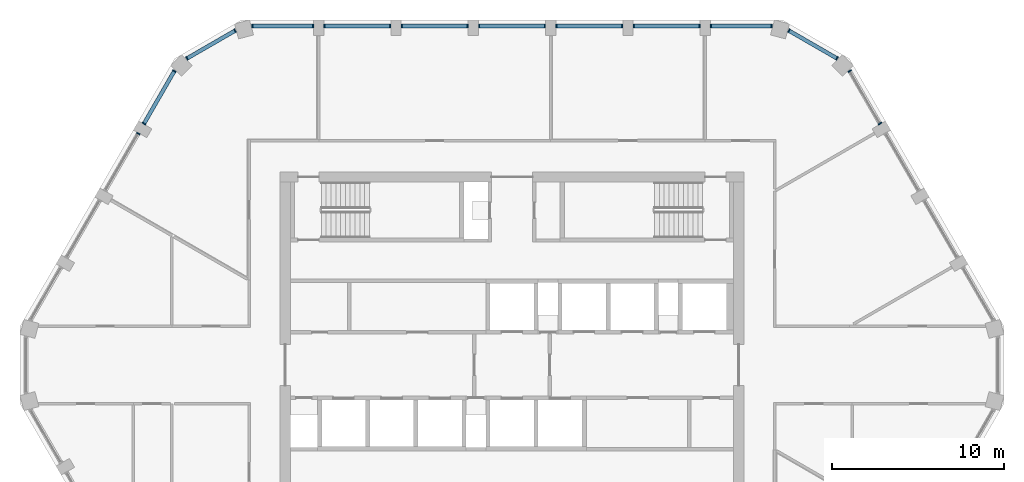
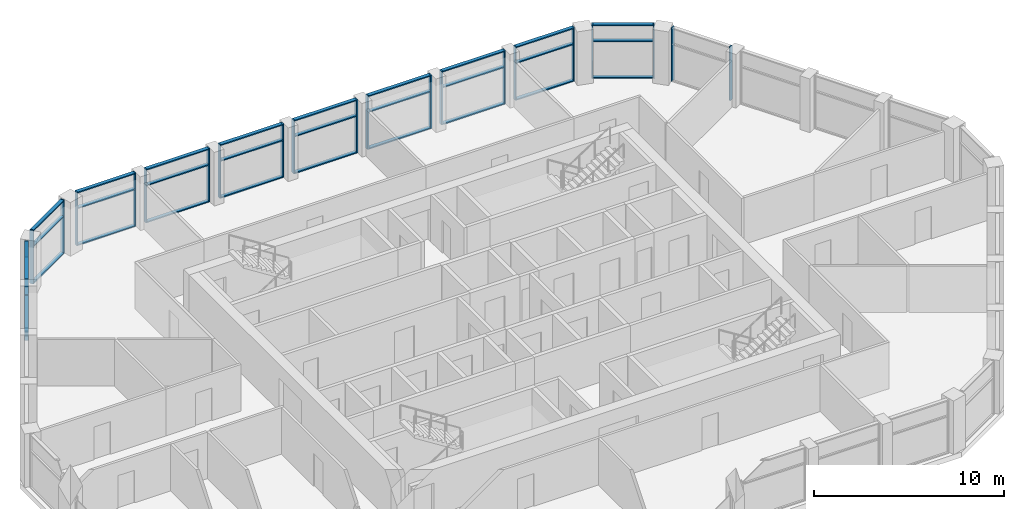
# One storey, part 5 of 15: 53 members, 12 elements without a shape of their own.
"""IFC4 building model written with IfcOpenShell, lengths in metres."""

from ifc_helpers import new_model, si_unit, direction, frame, origin, origin_2d, place, context, subcontext, project, spatial, rectangle, extrude, material, layer, layer_set, material_profile, profile_set, type_object, element, aggregate, save


model = new_model("IFC4")

# Units and contexts
model_context = context("Model", 3, precision=1e-05, world=origin(), true_north=direction((0.0, 1.0)))
body_context = subcontext(model_context, "Body", "Model", "MODEL_VIEW")
ifc_project = project(units=[si_unit("LENGTHUNIT", "METRE"), si_unit("AREAUNIT", "SQUARE_METRE"), si_unit("VOLUMEUNIT", "CUBIC_METRE"), si_unit("PLANEANGLEUNIT", "RADIAN"), si_unit("MASSUNIT", "GRAM", prefix="KILO")], contexts=[model_context])

# Site, building, storey
site_placement = place(None, origin())
site = spatial("IfcSite", under=ifc_project, at=site_placement, CompositionType="ELEMENT")
building_placement = place(site_placement, origin())
building = spatial("IfcBuilding", under=site, at=building_placement, Name="Dhurran Vertical Campus", CompositionType="ELEMENT")
storey_placement = place(building_placement, frame((0.0, 0.0, 306.0)))
storey = spatial("IfcBuildingStorey", under=building, at=storey_placement, Name="L76", CompositionType="ELEMENT", Elevation=306.0)

# Curtain wall, members
ifc_material_1 = material(Name="Aluminium frame with solar-control glass", Category="aluminium")
ifc_layer = layer(ifc_material_1, 0.219970703125)
ifc_layer_set = layer_set([ifc_layer], Name="Aluminium frame with solar-control glass")
curtain_wall_type = type_object("IfcCurtainWallType", Name="Student lounge glazing system", PredefinedType="NOTDEFINED", material=ifc_layer_set)
curtain_wall_1_placement = place(storey_placement, origin())
curtain_wall_1 = element("IfcCurtainWall", 1, at=curtain_wall_1_placement, inside=storey, type_object=curtain_wall_type, Name="CW5 L76.16", PredefinedType="NOTDEFINED")
ifc_material_2 = material(Name="Aluminium mullion", Category="aluminium")
ifc_material_profile_1 = material_profile(ifc_material_2, rectangle(XDim=0.219970703125, YDim=0.070068359375, at=origin_2d()), Name="Student lounge glazing system mullion")
ifc_profile_set_1 = profile_set([ifc_material_profile_1], Name="Aluminium mullion")
member_type_1 = type_object("IfcMemberType", Name="Student lounge glazing system mullion", PredefinedType="MULLION", material=ifc_profile_set_1)
member_1_placement = place(storey_placement, frame((21.42626953125, 14.056884765625, 0.0), z_axis=(0.0, 0.0, 1.0), x_axis=(-0.86602735976, -0.499996612136, 0.0)))
member_1 = element("IfcMember", 2, at=member_1_placement, type_object=member_type_1, Name="CW5 mullion 1", PredefinedType="MULLION", context=body_context, shape_type="SweptSolid", body=[
    extrude(rectangle(XDim=0.219970703125, YDim=0.070068359375, at=origin_2d()), origin(), (0.0, 0.0, 1.0), 3.449951171875),
])
member_2_placement = place(storey_placement, frame((19.66162109375, 17.113525390625, 0.0), z_axis=(0.0, 0.0, 1.0), x_axis=(-0.86602735976, -0.499996612136, 0.0)))
member_2 = element("IfcMember", 3, at=member_2_placement, type_object=member_type_1, Name="CW5 mullion 2", PredefinedType="MULLION", context=body_context, shape_type="SweptSolid", body=[
    extrude(rectangle(XDim=0.219970703125, YDim=0.070068359375, at=origin_2d()), origin(), (0.0, 0.0, 1.0), 3.449951171875),
])
aggregate(curtain_wall_1, [member_1, member_2])

curtain_wall_2_placement = place(storey_placement, origin())
curtain_wall_2 = element("IfcCurtainWall", 4, at=curtain_wall_2_placement, inside=storey, type_object=curtain_wall_type, Name="CW5 L76.17", PredefinedType="NOTDEFINED")
member_3_placement = place(storey_placement, frame((18.922119140625, 17.852783203125, 0.0), z_axis=(0.0, 0.0, 1.0), x_axis=(-0.500001394569, -0.866024598628, 0.0)))
member_3 = element("IfcMember", 5, at=member_3_placement, type_object=member_type_1, Name="CW5 mullion 1", PredefinedType="MULLION", context=body_context, shape_type="SweptSolid", body=[
    extrude(rectangle(XDim=0.219970703125, YDim=0.070068359375, at=origin_2d()), origin(), (0.0, 0.0, 1.0), 3.449951171875),
])
member_4_placement = place(storey_placement, frame((16.125, 19.4677734375, 0.0), z_axis=(0.0, 0.0, 1.0), x_axis=(-0.500001394569, -0.866024598628, 0.0)))
member_4 = element("IfcMember", 6, at=member_4_placement, type_object=member_type_1, Name="CW5 mullion 2", PredefinedType="MULLION", context=body_context, shape_type="SweptSolid", body=[
    extrude(rectangle(XDim=0.219970703125, YDim=0.070068359375, at=origin_2d()), origin(), (0.0, 0.0, 1.0), 3.449951171875),
])

curtain_wall_3_placement = place(storey_placement, origin())
curtain_wall_3 = element("IfcCurtainWall", 7, at=curtain_wall_3_placement, inside=storey, type_object=curtain_wall_type, Name="CW5 L76.18", PredefinedType="NOTDEFINED")
member_5_placement = place(storey_placement, frame((15.114990234375, 19.738525390625, 0.0), z_axis=(0.0, 0.0, 1.0), x_axis=(0.0, -1.0, 0.0)))
member_5 = element("IfcMember", 8, at=member_5_placement, type_object=member_type_1, Name="CW5 mullion 1", PredefinedType="MULLION", context=body_context, shape_type="SweptSolid", body=[
    extrude(rectangle(XDim=0.219970703125, YDim=0.070068359375, at=origin_2d()), origin(), (0.0, 0.0, 1.0), 3.449951171875),
])
member_6_placement = place(storey_placement, frame((11.58544921875, 19.738525390625, 0.0), z_axis=(0.0, 0.0, 1.0), x_axis=(0.0, -1.0, 0.0)))
member_6 = element("IfcMember", 9, at=member_6_placement, type_object=member_type_1, Name="CW5 mullion 2", PredefinedType="MULLION", context=body_context, shape_type="SweptSolid", body=[
    extrude(rectangle(XDim=0.219970703125, YDim=0.070068359375, at=origin_2d()), origin(), (0.0, 0.0, 1.0), 3.449951171875),
])

curtain_wall_4_placement = place(storey_placement, origin())
curtain_wall_4 = element("IfcCurtainWall", 10, at=curtain_wall_4_placement, inside=storey, type_object=curtain_wall_type, Name="CW5 L76.19", PredefinedType="NOTDEFINED")
member_7_placement = place(storey_placement, frame((10.91455078125, 19.738525390625, 0.0), z_axis=(0.0, 0.0, 1.0), x_axis=(0.0, -1.0, 0.0)))
member_7 = element("IfcMember", 11, at=member_7_placement, type_object=member_type_1, Name="CW5 mullion 1", PredefinedType="MULLION", context=body_context, shape_type="SweptSolid", body=[
    extrude(rectangle(XDim=0.219970703125, YDim=0.070068359375, at=origin_2d()), origin(), (0.0, 0.0, 1.0), 3.449951171875),
])
member_8_placement = place(storey_placement, frame((7.08544921875, 19.738525390625, 0.0), z_axis=(0.0, 0.0, 1.0), x_axis=(0.0, -1.0, 0.0)))
member_8 = element("IfcMember", 12, at=member_8_placement, type_object=member_type_1, Name="CW5 mullion 2", PredefinedType="MULLION", context=body_context, shape_type="SweptSolid", body=[
    extrude(rectangle(XDim=0.219970703125, YDim=0.070068359375, at=origin_2d()), origin(), (0.0, 0.0, 1.0), 3.449951171875),
])

curtain_wall_5_placement = place(storey_placement, origin())
curtain_wall_5 = element("IfcCurtainWall", 13, at=curtain_wall_5_placement, inside=storey, type_object=curtain_wall_type, Name="CW5 L76.20", PredefinedType="NOTDEFINED")
member_9_placement = place(storey_placement, frame((6.41455078125, 19.738525390625, 0.0), z_axis=(0.0, 0.0, 1.0), x_axis=(0.0, -1.0, 0.0)))
member_9 = element("IfcMember", 14, at=member_9_placement, type_object=member_type_1, Name="CW5 mullion 1", PredefinedType="MULLION", context=body_context, shape_type="SweptSolid", body=[
    extrude(rectangle(XDim=0.219970703125, YDim=0.070068359375, at=origin_2d()), origin(), (0.0, 0.0, 1.0), 3.449951171875),
])
member_10_placement = place(storey_placement, frame((2.58544921875, 19.738525390625, 0.0), z_axis=(0.0, 0.0, 1.0), x_axis=(0.0, -1.0, 0.0)))
member_10 = element("IfcMember", 15, at=member_10_placement, type_object=member_type_1, Name="CW5 mullion 2", PredefinedType="MULLION", context=body_context, shape_type="SweptSolid", body=[
    extrude(rectangle(XDim=0.219970703125, YDim=0.070068359375, at=origin_2d()), origin(), (0.0, 0.0, 1.0), 3.449951171875),
])

curtain_wall_6_placement = place(storey_placement, origin())
curtain_wall_6 = element("IfcCurtainWall", 16, at=curtain_wall_6_placement, inside=storey, type_object=curtain_wall_type, Name="CW5 L76.21", PredefinedType="NOTDEFINED")
member_11_placement = place(storey_placement, frame((1.91455078125, 19.738525390625, 0.0), z_axis=(0.0, 0.0, 1.0), x_axis=(0.0, -1.0, 0.0)))
member_11 = element("IfcMember", 17, at=member_11_placement, type_object=member_type_1, Name="CW5 mullion 1", PredefinedType="MULLION", context=body_context, shape_type="SweptSolid", body=[
    extrude(rectangle(XDim=0.219970703125, YDim=0.070068359375, at=origin_2d()), origin(), (0.0, 0.0, 1.0), 3.449951171875),
])
member_12_placement = place(storey_placement, frame((-1.91455078125, 19.738525390625, 0.0), z_axis=(0.0, 0.0, 1.0), x_axis=(0.0, -1.0, 0.0)))
member_12 = element("IfcMember", 18, at=member_12_placement, type_object=member_type_1, Name="CW5 mullion 2", PredefinedType="MULLION", context=body_context, shape_type="SweptSolid", body=[
    extrude(rectangle(XDim=0.219970703125, YDim=0.070068359375, at=origin_2d()), origin(), (0.0, 0.0, 1.0), 3.449951171875),
])

curtain_wall_7_placement = place(storey_placement, origin())
curtain_wall_7 = element("IfcCurtainWall", 19, at=curtain_wall_7_placement, inside=storey, type_object=curtain_wall_type, Name="CW5 L76.22", PredefinedType="NOTDEFINED")
member_13_placement = place(storey_placement, frame((-2.58544921875, 19.738525390625, 0.0), z_axis=(0.0, 0.0, 1.0), x_axis=(0.0, -1.0, 0.0)))
member_13 = element("IfcMember", 20, at=member_13_placement, type_object=member_type_1, Name="CW5 mullion 1", PredefinedType="MULLION", context=body_context, shape_type="SweptSolid", body=[
    extrude(rectangle(XDim=0.219970703125, YDim=0.070068359375, at=origin_2d()), origin(), (0.0, 0.0, 1.0), 3.449951171875),
])
member_14_placement = place(storey_placement, frame((-6.41455078125, 19.738525390625, 0.0), z_axis=(0.0, 0.0, 1.0), x_axis=(0.0, -1.0, 0.0)))
member_14 = element("IfcMember", 21, at=member_14_placement, type_object=member_type_1, Name="CW5 mullion 2", PredefinedType="MULLION", context=body_context, shape_type="SweptSolid", body=[
    extrude(rectangle(XDim=0.219970703125, YDim=0.070068359375, at=origin_2d()), origin(), (0.0, 0.0, 1.0), 3.449951171875),
])

curtain_wall_8_placement = place(storey_placement, origin())
curtain_wall_8 = element("IfcCurtainWall", 22, at=curtain_wall_8_placement, inside=storey, type_object=curtain_wall_type, Name="CW5 L76.23", PredefinedType="NOTDEFINED")
member_15_placement = place(storey_placement, frame((-7.08544921875, 19.738525390625, 0.0), z_axis=(0.0, 0.0, 1.0), x_axis=(0.0, -1.0, 0.0)))
member_15 = element("IfcMember", 23, at=member_15_placement, type_object=member_type_1, Name="CW5 mullion 1", PredefinedType="MULLION", context=body_context, shape_type="SweptSolid", body=[
    extrude(rectangle(XDim=0.219970703125, YDim=0.070068359375, at=origin_2d()), origin(), (0.0, 0.0, 1.0), 3.449951171875),
])
member_16_placement = place(storey_placement, frame((-10.91455078125, 19.738525390625, 0.0), z_axis=(0.0, 0.0, 1.0), x_axis=(0.0, -1.0, 0.0)))
member_16 = element("IfcMember", 24, at=member_16_placement, type_object=member_type_1, Name="CW5 mullion 2", PredefinedType="MULLION", context=body_context, shape_type="SweptSolid", body=[
    extrude(rectangle(XDim=0.219970703125, YDim=0.070068359375, at=origin_2d()), origin(), (0.0, 0.0, 1.0), 3.449951171875),
])

curtain_wall_9_placement = place(storey_placement, origin())
curtain_wall_9 = element("IfcCurtainWall", 25, at=curtain_wall_9_placement, inside=storey, type_object=curtain_wall_type, Name="CW5 L76.24", PredefinedType="NOTDEFINED")
member_17_placement = place(storey_placement, frame((-11.58544921875, 19.738525390625, 0.0), z_axis=(0.0, 0.0, 1.0), x_axis=(0.0, -1.0, 0.0)))
member_17 = element("IfcMember", 26, at=member_17_placement, type_object=member_type_1, Name="CW5 mullion 1", PredefinedType="MULLION", context=body_context, shape_type="SweptSolid", body=[
    extrude(rectangle(XDim=0.219970703125, YDim=0.070068359375, at=origin_2d()), origin(), (0.0, 0.0, 1.0), 3.449951171875),
])
member_18_placement = place(storey_placement, frame((-15.114990234375, 19.738525390625, 0.0), z_axis=(0.0, 0.0, 1.0), x_axis=(0.0, -1.0, 0.0)))
member_18 = element("IfcMember", 27, at=member_18_placement, type_object=member_type_1, Name="CW5 mullion 2", PredefinedType="MULLION", context=body_context, shape_type="SweptSolid", body=[
    extrude(rectangle(XDim=0.219970703125, YDim=0.070068359375, at=origin_2d()), origin(), (0.0, 0.0, 1.0), 3.449951171875),
])

curtain_wall_10_placement = place(storey_placement, origin())
curtain_wall_10 = element("IfcCurtainWall", 28, at=curtain_wall_10_placement, inside=storey, type_object=curtain_wall_type, Name="CW5 L76.25", PredefinedType="NOTDEFINED")
member_19_placement = place(storey_placement, frame((-16.125, 19.4677734375, 0.0), z_axis=(0.0, 0.0, 1.0), x_axis=(0.500001394569, -0.866024598628, 0.0)))
member_19 = element("IfcMember", 29, at=member_19_placement, type_object=member_type_1, Name="CW5 mullion 1", PredefinedType="MULLION", context=body_context, shape_type="SweptSolid", body=[
    extrude(rectangle(XDim=0.219970703125, YDim=0.070068359375, at=origin_2d()), origin(), (0.0, 0.0, 1.0), 3.449951171875),
])
member_20_placement = place(storey_placement, frame((-18.922119140625, 17.852783203125, 0.0), z_axis=(0.0, 0.0, 1.0), x_axis=(0.500001394569, -0.866024598628, 0.0)))
member_20 = element("IfcMember", 30, at=member_20_placement, type_object=member_type_1, Name="CW5 mullion 2", PredefinedType="MULLION", context=body_context, shape_type="SweptSolid", body=[
    extrude(rectangle(XDim=0.219970703125, YDim=0.070068359375, at=origin_2d()), origin(), (0.0, 0.0, 1.0), 3.449951171875),
])

curtain_wall_11_placement = place(storey_placement, origin())
curtain_wall_11 = element("IfcCurtainWall", 31, at=curtain_wall_11_placement, inside=storey, type_object=curtain_wall_type, Name="CW5 L76.26", PredefinedType="NOTDEFINED")
member_21_placement = place(storey_placement, frame((-19.66162109375, 17.113525390625, 0.0), z_axis=(0.0, 0.0, 1.0), x_axis=(0.86602735976, -0.499996612136, 0.0)))
member_21 = element("IfcMember", 32, at=member_21_placement, type_object=member_type_1, Name="CW5 mullion 1", PredefinedType="MULLION", context=body_context, shape_type="SweptSolid", body=[
    extrude(rectangle(XDim=0.219970703125, YDim=0.070068359375, at=origin_2d()), origin(), (0.0, 0.0, 1.0), 3.449951171875),
])
member_22_placement = place(storey_placement, frame((-21.42626953125, 14.056884765625, 0.0), z_axis=(0.0, 0.0, 1.0), x_axis=(0.86602735976, -0.499996612136, 0.0)))
member_22 = element("IfcMember", 33, at=member_22_placement, type_object=member_type_1, Name="CW5 mullion 2", PredefinedType="MULLION", context=body_context, shape_type="SweptSolid", body=[
    extrude(rectangle(XDim=0.219970703125, YDim=0.070068359375, at=origin_2d()), origin(), (0.0, 0.0, 1.0), 3.449951171875),
])

# Curtain wall, member
curtain_wall_12_placement = place(storey_placement, origin())
curtain_wall_12 = element("IfcCurtainWall", 34, at=curtain_wall_12_placement, inside=storey, type_object=curtain_wall_type, Name="CW5 L76.27", PredefinedType="NOTDEFINED")
member_23_placement = place(storey_placement, frame((-21.76171875, 13.475830078125, 0.0), z_axis=(0.0, 0.0, 1.0), x_axis=(0.866023284668, -0.5000036704, 0.0)))
member_23 = element("IfcMember", 35, at=member_23_placement, type_object=member_type_1, Name="CW5 mullion 1", PredefinedType="MULLION", context=body_context, shape_type="SweptSolid", body=[
    extrude(rectangle(XDim=0.219970703125, YDim=0.070068359375, at=origin_2d()), origin(), (0.0, 0.0, 1.0), 3.449951171875),
])
aggregate(curtain_wall_12, [member_23])

# Member
ifc_material_3 = material(Name="Aluminium transom", Category="aluminium")
ifc_material_profile_2 = material_profile(ifc_material_3, rectangle(XDim=0.219970703125, YDim=0.070068359375, at=origin_2d()), Name="Student lounge glazing system transom")
ifc_profile_set_2 = profile_set([ifc_material_profile_2], Name="Aluminium transom")
member_type_2 = type_object("IfcMemberType", Name="Student lounge glazing system transom", PredefinedType="USERDEFINED", material=ifc_profile_set_2)
member_24_placement = place(storey_placement, frame((18.891845703125, 17.870361328125, 0.034912109375), z_axis=(-0.866042772488, 0.499969915316, 0.0), x_axis=(-0.499969915316, -0.866042772488, 0.0)))
member_24 = element("IfcMember", 36, at=member_24_placement, type_object=member_type_2, Name="CW5 transom 1.1", ObjectType="TRANSOM", PredefinedType="USERDEFINED", context=body_context, shape_type="SweptSolid", body=[
    extrude(rectangle(XDim=0.219970703125, YDim=0.070068359375, at=origin_2d()), origin(), (0.0, 0.0, 1.0), 3.159912109375),
])

member_25_placement = place(storey_placement, frame((18.891845703125, 17.870361328125, 2.39990234375), z_axis=(-0.866042772488, 0.499969915316, 0.0), x_axis=(-0.499969915316, -0.866042772488, 0.0)))
member_25 = element("IfcMember", 37, at=member_25_placement, type_object=member_type_2, Name="CW5 transom 1.2", ObjectType="TRANSOM", PredefinedType="USERDEFINED", context=body_context, shape_type="SweptSolid", body=[
    extrude(rectangle(XDim=0.219970703125, YDim=0.070068359375, at=origin_2d()), origin(), (0.0, 0.0, 1.0), 3.159912109375),
])

member_26_placement = place(storey_placement, frame((18.891845703125, 17.870361328125, 3.4150390625), z_axis=(-0.866042772488, 0.499969915316, 0.0), x_axis=(-0.499969915316, -0.866042772488, 0.0)))
member_26 = element("IfcMember", 38, at=member_26_placement, type_object=member_type_2, Name="CW5 transom 1.3", ObjectType="TRANSOM", PredefinedType="USERDEFINED", context=body_context, shape_type="SweptSolid", body=[
    extrude(rectangle(XDim=0.219970703125, YDim=0.070068359375, at=origin_2d()), origin(), (0.0, 0.0, 1.0), 3.159912109375),
])

aggregate(curtain_wall_2, [member_3, member_4, member_24, member_25, member_26])

member_27_placement = place(storey_placement, frame((15.079833984375, 19.738525390625, 0.034912109375), z_axis=(-1.0, 0.0, 0.0), x_axis=(0.0, -1.0, 0.0)))
member_27 = element("IfcMember", 39, at=member_27_placement, type_object=member_type_2, Name="CW5 transom 1.1", ObjectType="TRANSOM", PredefinedType="USERDEFINED", context=body_context, shape_type="SweptSolid", body=[
    extrude(rectangle(XDim=0.219970703125, YDim=0.070068359375, at=origin_2d()), origin(), (0.0, 0.0, 1.0), 3.459228515625),
])

member_28_placement = place(storey_placement, frame((15.079833984375, 19.738525390625, 2.39990234375), z_axis=(-1.0, 0.0, 0.0), x_axis=(0.0, -1.0, 0.0)))
member_28 = element("IfcMember", 40, at=member_28_placement, type_object=member_type_2, Name="CW5 transom 1.2", ObjectType="TRANSOM", PredefinedType="USERDEFINED", context=body_context, shape_type="SweptSolid", body=[
    extrude(rectangle(XDim=0.219970703125, YDim=0.070068359375, at=origin_2d()), origin(), (0.0, 0.0, 1.0), 3.459228515625),
])

member_29_placement = place(storey_placement, frame((15.079833984375, 19.738525390625, 3.4150390625), z_axis=(-1.0, 0.0, 0.0), x_axis=(0.0, -1.0, 0.0)))
member_29 = element("IfcMember", 41, at=member_29_placement, type_object=member_type_2, Name="CW5 transom 1.3", ObjectType="TRANSOM", PredefinedType="USERDEFINED", context=body_context, shape_type="SweptSolid", body=[
    extrude(rectangle(XDim=0.219970703125, YDim=0.070068359375, at=origin_2d()), origin(), (0.0, 0.0, 1.0), 3.459228515625),
])

aggregate(curtain_wall_3, [member_5, member_6, member_27, member_28, member_29])

member_30_placement = place(storey_placement, frame((10.87939453125, 19.738525390625, 0.034912109375), z_axis=(-1.0, 0.0, 0.0), x_axis=(0.0, -1.0, 0.0)))
member_30 = element("IfcMember", 42, at=member_30_placement, type_object=member_type_2, Name="CW5 transom 1.1", ObjectType="TRANSOM", PredefinedType="USERDEFINED", context=body_context, shape_type="SweptSolid", body=[
    extrude(rectangle(XDim=0.219970703125, YDim=0.070068359375, at=origin_2d()), origin(), (0.0, 0.0, 1.0), 3.7587890625),
])

member_31_placement = place(storey_placement, frame((10.87939453125, 19.738525390625, 2.39990234375), z_axis=(-1.0, 0.0, 0.0), x_axis=(0.0, -1.0, 0.0)))
member_31 = element("IfcMember", 43, at=member_31_placement, type_object=member_type_2, Name="CW5 transom 1.2", ObjectType="TRANSOM", PredefinedType="USERDEFINED", context=body_context, shape_type="SweptSolid", body=[
    extrude(rectangle(XDim=0.219970703125, YDim=0.070068359375, at=origin_2d()), origin(), (0.0, 0.0, 1.0), 3.7587890625),
])

member_32_placement = place(storey_placement, frame((10.87939453125, 19.738525390625, 3.4150390625), z_axis=(-1.0, 0.0, 0.0), x_axis=(0.0, -1.0, 0.0)))
member_32 = element("IfcMember", 44, at=member_32_placement, type_object=member_type_2, Name="CW5 transom 1.3", ObjectType="TRANSOM", PredefinedType="USERDEFINED", context=body_context, shape_type="SweptSolid", body=[
    extrude(rectangle(XDim=0.219970703125, YDim=0.070068359375, at=origin_2d()), origin(), (0.0, 0.0, 1.0), 3.7587890625),
])

aggregate(curtain_wall_4, [member_7, member_8, member_30, member_31, member_32])

member_33_placement = place(storey_placement, frame((6.37939453125, 19.738525390625, 0.034912109375), z_axis=(-1.0, 0.0, 0.0), x_axis=(0.0, -1.0, 0.0)))
member_33 = element("IfcMember", 45, at=member_33_placement, type_object=member_type_2, Name="CW5 transom 1.1", ObjectType="TRANSOM", PredefinedType="USERDEFINED", context=body_context, shape_type="SweptSolid", body=[
    extrude(rectangle(XDim=0.219970703125, YDim=0.070068359375, at=origin_2d()), origin(), (0.0, 0.0, 1.0), 3.7587890625),
])

member_34_placement = place(storey_placement, frame((6.37939453125, 19.738525390625, 2.39990234375), z_axis=(-1.0, 0.0, 0.0), x_axis=(0.0, -1.0, 0.0)))
member_34 = element("IfcMember", 46, at=member_34_placement, type_object=member_type_2, Name="CW5 transom 1.2", ObjectType="TRANSOM", PredefinedType="USERDEFINED", context=body_context, shape_type="SweptSolid", body=[
    extrude(rectangle(XDim=0.219970703125, YDim=0.070068359375, at=origin_2d()), origin(), (0.0, 0.0, 1.0), 3.7587890625),
])

member_35_placement = place(storey_placement, frame((6.37939453125, 19.738525390625, 3.4150390625), z_axis=(-1.0, 0.0, 0.0), x_axis=(0.0, -1.0, 0.0)))
member_35 = element("IfcMember", 47, at=member_35_placement, type_object=member_type_2, Name="CW5 transom 1.3", ObjectType="TRANSOM", PredefinedType="USERDEFINED", context=body_context, shape_type="SweptSolid", body=[
    extrude(rectangle(XDim=0.219970703125, YDim=0.070068359375, at=origin_2d()), origin(), (0.0, 0.0, 1.0), 3.7587890625),
])

aggregate(curtain_wall_5, [member_9, member_10, member_33, member_34, member_35])

member_36_placement = place(storey_placement, frame((1.87939453125, 19.738525390625, 0.034912109375), z_axis=(-1.0, 0.0, 0.0), x_axis=(0.0, -1.0, 0.0)))
member_36 = element("IfcMember", 48, at=member_36_placement, type_object=member_type_2, Name="CW5 transom 1.1", ObjectType="TRANSOM", PredefinedType="USERDEFINED", context=body_context, shape_type="SweptSolid", body=[
    extrude(rectangle(XDim=0.219970703125, YDim=0.070068359375, at=origin_2d()), origin(), (0.0, 0.0, 1.0), 3.7587890625),
])

member_37_placement = place(storey_placement, frame((1.87939453125, 19.738525390625, 2.39990234375), z_axis=(-1.0, 0.0, 0.0), x_axis=(0.0, -1.0, 0.0)))
member_37 = element("IfcMember", 49, at=member_37_placement, type_object=member_type_2, Name="CW5 transom 1.2", ObjectType="TRANSOM", PredefinedType="USERDEFINED", context=body_context, shape_type="SweptSolid", body=[
    extrude(rectangle(XDim=0.219970703125, YDim=0.070068359375, at=origin_2d()), origin(), (0.0, 0.0, 1.0), 3.7587890625),
])

member_38_placement = place(storey_placement, frame((1.87939453125, 19.738525390625, 3.4150390625), z_axis=(-1.0, 0.0, 0.0), x_axis=(0.0, -1.0, 0.0)))
member_38 = element("IfcMember", 50, at=member_38_placement, type_object=member_type_2, Name="CW5 transom 1.3", ObjectType="TRANSOM", PredefinedType="USERDEFINED", context=body_context, shape_type="SweptSolid", body=[
    extrude(rectangle(XDim=0.219970703125, YDim=0.070068359375, at=origin_2d()), origin(), (0.0, 0.0, 1.0), 3.7587890625),
])

aggregate(curtain_wall_6, [member_11, member_12, member_36, member_37, member_38])

member_39_placement = place(storey_placement, frame((-2.62060546875, 19.738525390625, 0.034912109375), z_axis=(-1.0, 0.0, 0.0), x_axis=(0.0, -1.0, 0.0)))
member_39 = element("IfcMember", 51, at=member_39_placement, type_object=member_type_2, Name="CW5 transom 1.1", ObjectType="TRANSOM", PredefinedType="USERDEFINED", context=body_context, shape_type="SweptSolid", body=[
    extrude(rectangle(XDim=0.219970703125, YDim=0.070068359375, at=origin_2d()), origin(), (0.0, 0.0, 1.0), 3.7587890625),
])

member_40_placement = place(storey_placement, frame((-2.62060546875, 19.738525390625, 2.39990234375), z_axis=(-1.0, 0.0, 0.0), x_axis=(0.0, -1.0, 0.0)))
member_40 = element("IfcMember", 52, at=member_40_placement, type_object=member_type_2, Name="CW5 transom 1.2", ObjectType="TRANSOM", PredefinedType="USERDEFINED", context=body_context, shape_type="SweptSolid", body=[
    extrude(rectangle(XDim=0.219970703125, YDim=0.070068359375, at=origin_2d()), origin(), (0.0, 0.0, 1.0), 3.7587890625),
])

member_41_placement = place(storey_placement, frame((-2.62060546875, 19.738525390625, 3.4150390625), z_axis=(-1.0, 0.0, 0.0), x_axis=(0.0, -1.0, 0.0)))
member_41 = element("IfcMember", 53, at=member_41_placement, type_object=member_type_2, Name="CW5 transom 1.3", ObjectType="TRANSOM", PredefinedType="USERDEFINED", context=body_context, shape_type="SweptSolid", body=[
    extrude(rectangle(XDim=0.219970703125, YDim=0.070068359375, at=origin_2d()), origin(), (0.0, 0.0, 1.0), 3.7587890625),
])

aggregate(curtain_wall_7, [member_13, member_14, member_39, member_40, member_41])

member_42_placement = place(storey_placement, frame((-7.12060546875, 19.738525390625, 0.034912109375), z_axis=(-1.0, 0.0, 0.0), x_axis=(0.0, -1.0, 0.0)))
member_42 = element("IfcMember", 54, at=member_42_placement, type_object=member_type_2, Name="CW5 transom 1.1", ObjectType="TRANSOM", PredefinedType="USERDEFINED", context=body_context, shape_type="SweptSolid", body=[
    extrude(rectangle(XDim=0.219970703125, YDim=0.070068359375, at=origin_2d()), origin(), (0.0, 0.0, 1.0), 3.7587890625),
])

member_43_placement = place(storey_placement, frame((-7.12060546875, 19.738525390625, 2.39990234375), z_axis=(-1.0, 0.0, 0.0), x_axis=(0.0, -1.0, 0.0)))
member_43 = element("IfcMember", 55, at=member_43_placement, type_object=member_type_2, Name="CW5 transom 1.2", ObjectType="TRANSOM", PredefinedType="USERDEFINED", context=body_context, shape_type="SweptSolid", body=[
    extrude(rectangle(XDim=0.219970703125, YDim=0.070068359375, at=origin_2d()), origin(), (0.0, 0.0, 1.0), 3.7587890625),
])

member_44_placement = place(storey_placement, frame((-7.12060546875, 19.738525390625, 3.4150390625), z_axis=(-1.0, 0.0, 0.0), x_axis=(0.0, -1.0, 0.0)))
member_44 = element("IfcMember", 56, at=member_44_placement, type_object=member_type_2, Name="CW5 transom 1.3", ObjectType="TRANSOM", PredefinedType="USERDEFINED", context=body_context, shape_type="SweptSolid", body=[
    extrude(rectangle(XDim=0.219970703125, YDim=0.070068359375, at=origin_2d()), origin(), (0.0, 0.0, 1.0), 3.7587890625),
])

aggregate(curtain_wall_8, [member_15, member_16, member_42, member_43, member_44])

member_45_placement = place(storey_placement, frame((-11.62060546875, 19.738525390625, 0.034912109375), z_axis=(-1.0, 0.0, 0.0), x_axis=(0.0, -1.0, 0.0)))
member_45 = element("IfcMember", 57, at=member_45_placement, type_object=member_type_2, Name="CW5 transom 1.1", ObjectType="TRANSOM", PredefinedType="USERDEFINED", context=body_context, shape_type="SweptSolid", body=[
    extrude(rectangle(XDim=0.219970703125, YDim=0.070068359375, at=origin_2d()), origin(), (0.0, 0.0, 1.0), 3.459228515625),
])

member_46_placement = place(storey_placement, frame((-11.62060546875, 19.738525390625, 2.39990234375), z_axis=(-1.0, 0.0, 0.0), x_axis=(0.0, -1.0, 0.0)))
member_46 = element("IfcMember", 58, at=member_46_placement, type_object=member_type_2, Name="CW5 transom 1.2", ObjectType="TRANSOM", PredefinedType="USERDEFINED", context=body_context, shape_type="SweptSolid", body=[
    extrude(rectangle(XDim=0.219970703125, YDim=0.070068359375, at=origin_2d()), origin(), (0.0, 0.0, 1.0), 3.459228515625),
])

member_47_placement = place(storey_placement, frame((-11.62060546875, 19.738525390625, 3.4150390625), z_axis=(-1.0, 0.0, 0.0), x_axis=(0.0, -1.0, 0.0)))
member_47 = element("IfcMember", 59, at=member_47_placement, type_object=member_type_2, Name="CW5 transom 1.3", ObjectType="TRANSOM", PredefinedType="USERDEFINED", context=body_context, shape_type="SweptSolid", body=[
    extrude(rectangle(XDim=0.219970703125, YDim=0.070068359375, at=origin_2d()), origin(), (0.0, 0.0, 1.0), 3.459228515625),
])

aggregate(curtain_wall_9, [member_17, member_18, member_45, member_46, member_47])

member_48_placement = place(storey_placement, frame((-16.1552734375, 19.4501953125, 0.034912109375), z_axis=(-0.866042772488, -0.499969915316, 0.0), x_axis=(0.499969915316, -0.866042772488, 0.0)))
member_48 = element("IfcMember", 60, at=member_48_placement, type_object=member_type_2, Name="CW5 transom 1.1", ObjectType="TRANSOM", PredefinedType="USERDEFINED", context=body_context, shape_type="SweptSolid", body=[
    extrude(rectangle(XDim=0.219970703125, YDim=0.070068359375, at=origin_2d()), origin(), (0.0, 0.0, 1.0), 3.159912109375),
])

member_49_placement = place(storey_placement, frame((-16.1552734375, 19.4501953125, 2.39990234375), z_axis=(-0.866042772488, -0.499969915316, 0.0), x_axis=(0.499969915316, -0.866042772488, 0.0)))
member_49 = element("IfcMember", 61, at=member_49_placement, type_object=member_type_2, Name="CW5 transom 1.2", ObjectType="TRANSOM", PredefinedType="USERDEFINED", context=body_context, shape_type="SweptSolid", body=[
    extrude(rectangle(XDim=0.219970703125, YDim=0.070068359375, at=origin_2d()), origin(), (0.0, 0.0, 1.0), 3.159912109375),
])

member_50_placement = place(storey_placement, frame((-16.1552734375, 19.4501953125, 3.4150390625), z_axis=(-0.866042772488, -0.499969915316, 0.0), x_axis=(0.499969915316, -0.866042772488, 0.0)))
member_50 = element("IfcMember", 62, at=member_50_placement, type_object=member_type_2, Name="CW5 transom 1.3", ObjectType="TRANSOM", PredefinedType="USERDEFINED", context=body_context, shape_type="SweptSolid", body=[
    extrude(rectangle(XDim=0.219970703125, YDim=0.070068359375, at=origin_2d()), origin(), (0.0, 0.0, 1.0), 3.159912109375),
])

aggregate(curtain_wall_10, [member_19, member_20, member_48, member_49, member_50])

member_51_placement = place(storey_placement, frame((-19.67919921875, 17.083251953125, 0.034912109375), z_axis=(-0.499934233803, -0.866063370586, 0.0), x_axis=(0.866063370586, -0.499934233803, 0.0)))
member_51 = element("IfcMember", 63, at=member_51_placement, type_object=member_type_2, Name="CW5 transom 1.1", ObjectType="TRANSOM", PredefinedType="USERDEFINED", context=body_context, shape_type="SweptSolid", body=[
    extrude(rectangle(XDim=0.219970703125, YDim=0.070068359375, at=origin_2d()), origin(), (0.0, 0.0, 1.0), 3.45947265625),
])

member_52_placement = place(storey_placement, frame((-19.67919921875, 17.083251953125, 2.39990234375), z_axis=(-0.499934233803, -0.866063370586, 0.0), x_axis=(0.866063370586, -0.499934233803, 0.0)))
member_52 = element("IfcMember", 64, at=member_52_placement, type_object=member_type_2, Name="CW5 transom 1.2", ObjectType="TRANSOM", PredefinedType="USERDEFINED", context=body_context, shape_type="SweptSolid", body=[
    extrude(rectangle(XDim=0.219970703125, YDim=0.070068359375, at=origin_2d()), origin(), (0.0, 0.0, 1.0), 3.45947265625),
])

member_53_placement = place(storey_placement, frame((-19.67919921875, 17.083251953125, 3.4150390625), z_axis=(-0.499934233803, -0.866063370586, 0.0), x_axis=(0.866063370586, -0.499934233803, 0.0)))
member_53 = element("IfcMember", 65, at=member_53_placement, type_object=member_type_2, Name="CW5 transom 1.3", ObjectType="TRANSOM", PredefinedType="USERDEFINED", context=body_context, shape_type="SweptSolid", body=[
    extrude(rectangle(XDim=0.219970703125, YDim=0.070068359375, at=origin_2d()), origin(), (0.0, 0.0, 1.0), 3.45947265625),
])

aggregate(curtain_wall_11, [member_21, member_22, member_51, member_52, member_53])

save(model, "model.ifc")
